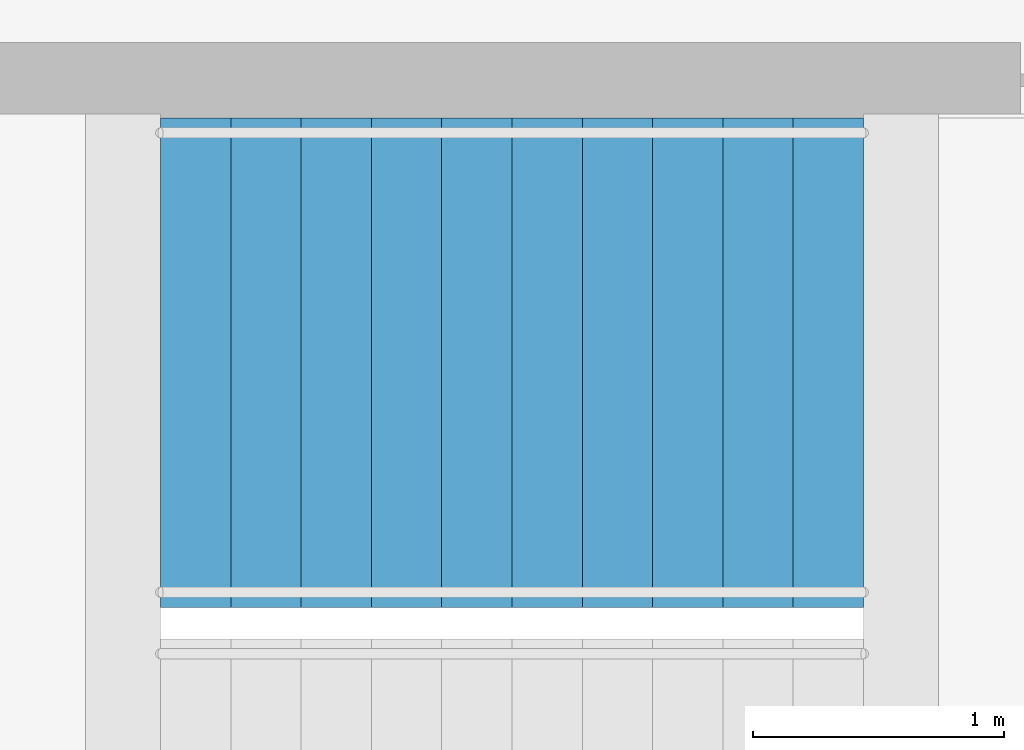
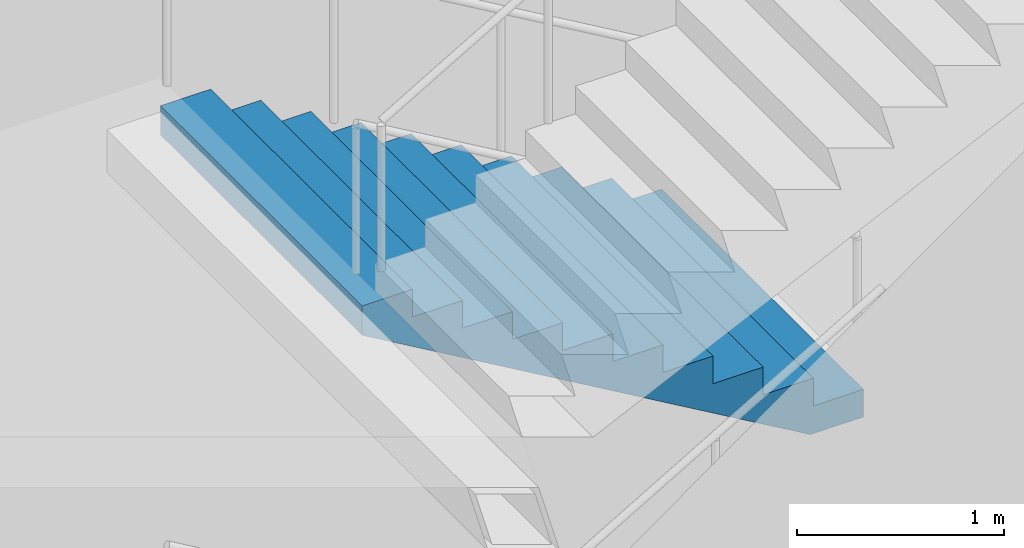
# One storey, part 21 of 22: 1 stair flight, 1 element without a shape of its own.
"""IFC4 building model written with IfcOpenShell, lengths in metres."""

import ifcopenshell
import ifcopenshell.guid

model = None  # the IFC model being written
_history = None  # IfcOwnerHistory: only IFC2X3 demands one
_inside = {}  # id of a spatial element -> (the spatial element, [elements in it])
_under = {}  # id of a project, library or spatial element -> (it, [spatial elements below it])
_declared = {}  # id of a project -> (the project, [libraries it declares])
_typed = {}  # id of a type object -> (the type object, [elements of that type])
_made_of = {}  # id of a material, layer set ... -> (it, [elements and type objects made of it])


def new_model(schema):
    """Start an empty IFC model of exactly this schema.

    Asked for "IFC4X3", IfcOpenShell would pick the latest addendum, in which some entities
    have other attributes; the version numbers below select the first issue.
    IFC2X3 requires an IfcOwnerHistory on every rooted entity: one is made here for all.
    """
    global model, _history
    if schema == "IFC4X3":
        model = ifcopenshell.file(schema_version=(4, 3, 0, 0))
    else:
        model = ifcopenshell.file(schema=schema)
    _inside.clear()
    _under.clear()
    _declared.clear()
    _typed.clear()
    _made_of.clear()
    _history = None
    if model.schema == "IFC2X3":
        org = make("IfcOrganization", Name="unknown")
        user = make(
            "IfcPersonAndOrganization",
            ThePerson=make("IfcPerson", FamilyName="unknown"),
            TheOrganization=org,
        )
        app = make(
            "IfcApplication",
            ApplicationDeveloper=org,
            Version="unknown",
            ApplicationFullName="unknown",
            ApplicationIdentifier="unknown",
        )
        _history = make(
            "IfcOwnerHistory",
            OwningUser=user,
            OwningApplication=app,
            ChangeAction="ADDED",
            CreationDate=0,
        )
    return model


def make(cls, **values):
    """One entity of the class cls with the attributes given. An attribute that is None is left unset."""
    return model.create_entity(
        cls, **{name: value for name, value in values.items() if value is not None}
    )


def rooted(cls, **values):
    """An entity with a GlobalId (a new one), such as an element, a storey or a relation."""
    return make(cls, GlobalId=ifcopenshell.guid.new(), OwnerHistory=_history, **values)


def si_unit(unit_type, name, prefix=None):
    """IfcSIUnit, for example si_unit("LENGTHUNIT", "METRE", prefix="MILLI")."""
    return make("IfcSIUnit", UnitType=unit_type, Prefix=prefix, Name=name)


def assignment(units):
    """IfcUnitAssignment: the units of a project."""
    return None if units is None else make("IfcUnitAssignment", Units=units)


def point(xyz):
    """IfcCartesianPoint."""
    return None if xyz is None else make("IfcCartesianPoint", Coordinates=xyz)


def direction(xyz):
    """IfcDirection."""
    return None if xyz is None else make("IfcDirection", DirectionRatios=xyz)


def frame(location, z_axis=None, x_axis=None):
    """IfcAxis2Placement3D, a coordinate frame: its origin and axes. An axis left out is left unset."""
    return make(
        "IfcAxis2Placement3D",
        Location=point(location),
        Axis=direction(z_axis),
        RefDirection=direction(x_axis),
    )


def origin():
    """The frame at (0, 0, 0) with its axes left unset."""
    return frame((0.0, 0.0, 0.0))


def place(relative_to, where):
    """IfcLocalPlacement: puts the frame where relative to a parent placement (None: the world)."""
    return make(
        "IfcLocalPlacement", PlacementRelTo=relative_to, RelativePlacement=where
    )


def context(
    kind, dimensions, precision=None, world=None, true_north=None, identifier=None
):
    """IfcGeometricRepresentationContext, for example the 3D "Model" context."""
    return make(
        "IfcGeometricRepresentationContext",
        ContextIdentifier=identifier,
        ContextType=kind,
        CoordinateSpaceDimension=dimensions,
        Precision=precision,
        WorldCoordinateSystem=world,
        TrueNorth=true_north,
    )


def subcontext(parent, identifier, kind, view, scale=None):
    """IfcGeometricRepresentationSubContext, for example "Body" below "Model"."""
    return make(
        "IfcGeometricRepresentationSubContext",
        ContextIdentifier=identifier,
        ContextType=kind,
        ParentContext=parent,
        TargetScale=scale,
        TargetView=view,
    )


def project(units=None, contexts=None):
    """IfcProject with its units and contexts."""
    return rooted(
        "IfcProject",
        Name="project",
        RepresentationContexts=contexts,
        UnitsInContext=assignment(units),
    )


def spatial(cls, under=None, at=None, **own):
    """A site, building, storey or space (cls), placed at a placement, below another one or the project."""
    s = rooted(cls, ObjectPlacement=at, **own)
    if under is not None:
        _under.setdefault(under.id(), (under, []))[1].append(s)
    return s


def point_list(points):
    """IfcCartesianPointList2D or 3D."""
    cls = (
        "IfcCartesianPointList2D" if len(points[0]) == 2 else "IfcCartesianPointList3D"
    )
    return make(cls, CoordList=points)


def triangles(points, corners, closed=None, point_numbers=None):
    """IfcTriangulatedFaceSet: each triangle names its three corners, points numbered from 1."""
    return make(
        "IfcTriangulatedFaceSet",
        Coordinates=point_list(points),
        Closed=closed,
        CoordIndex=corners,
        PnIndex=point_numbers,
    )


def shape(context_of_items, identifier, shape_type, items):
    """IfcShapeRepresentation: the items that make up one representation, for example the "Body"."""
    return make(
        "IfcShapeRepresentation",
        ContextOfItems=context_of_items,
        RepresentationIdentifier=identifier,
        RepresentationType=shape_type,
        Items=items,
    )


def material(Name=None, Category=None):
    """IfcMaterial."""
    return make("IfcMaterial", Name=Name, Category=Category)


def made_of(thing, what):
    """Note that an element or type object is made of a material, layer set ...; save() writes the relation."""
    if what is not None:
        _made_of.setdefault(what.id(), (what, []))[1].append(thing)
    return thing


def type_object(cls, material=None, **own):
    """A type object (cls), such as IfcWallType, which elements share."""
    return made_of(rooted(cls, **own), material)


def element(
    cls,
    number,
    at=None,
    inside=None,
    cuts=None,
    type_object=None,
    material=None,
    context=None,
    identifier="Body",
    shape_type=None,
    held_by="IfcProductDefinitionShape",
    body=None,
    shapes=None,
    **own,
):
    """One element of the class cls, such as IfcWall. Its Tag is "e" and its number.

    at: its placement. inside: the storey or other place that contains it. cuts: it is an
    opening in that element (IfcRelVoidsElement). A single representation is given by context,
    identifier, shape_type and body (its items); several are given by shapes. held_by: the class
    of the entity that holds the representations. save() writes the other relations.
    """
    e = rooted(cls, Tag="e%d" % number, ObjectPlacement=at, **own)
    if body is not None:
        shapes = [shape(context, identifier, shape_type, body)]
    if shapes is not None:
        e.Representation = make(held_by, Representations=shapes)
    if inside is not None:
        _inside.setdefault(inside.id(), (inside, []))[1].append(e)
    if cuts is not None:
        rooted(
            "IfcRelVoidsElement", RelatingBuildingElement=cuts, RelatedOpeningElement=e
        )
    if type_object is not None:
        _typed.setdefault(type_object.id(), (type_object, []))[1].append(e)
    return made_of(e, material)


def aggregate(whole, parts):
    """IfcRelAggregates: a whole, such as a stair, and the parts it consists of."""
    return rooted("IfcRelAggregates", RelatingObject=whole, RelatedObjects=parts)


def save(model, path):
    """Write the relations noted so far, then the file.

    IfcRelAggregates (storeys below a building ...), IfcRelContainedInSpatialStructure (elements
    in a storey), IfcRelDefinesByType, IfcRelAssociatesMaterial and IfcRelDeclares: one each for
    every whole, place, type object, material and project.
    """
    for whole, parts in _under.values():
        aggregate(whole, parts)
    for where, things in _inside.values():
        rooted(
            "IfcRelContainedInSpatialStructure",
            RelatedElements=things,
            RelatingStructure=where,
        )
    for kind, things in _typed.values():
        rooted("IfcRelDefinesByType", RelatedObjects=things, RelatingType=kind)
    for what, things in _made_of.values():
        rooted("IfcRelAssociatesMaterial", RelatedObjects=things, RelatingMaterial=what)
    for by, libraries in _declared.values():
        rooted("IfcRelDeclares", RelatingContext=by, RelatedDefinitions=libraries)
    model.write(path)


model = new_model("IFC4")

# Units and contexts
model_context = context("Model", 3, precision=1e-05, world=origin(), true_north=direction((0.0, 1.0)))
body_context = subcontext(model_context, "Body", "Model", "MODEL_VIEW")
ifc_project = project(units=[si_unit("LENGTHUNIT", "METRE"), si_unit("AREAUNIT", "SQUARE_METRE"), si_unit("VOLUMEUNIT", "CUBIC_METRE"), si_unit("PLANEANGLEUNIT", "RADIAN"), si_unit("MASSUNIT", "GRAM", prefix="KILO")], contexts=[model_context])

# Site, building, storey
site_placement = place(None, origin())
site = spatial("IfcSite", under=ifc_project, at=site_placement, CompositionType="ELEMENT")
building_placement = place(site_placement, origin())
building = spatial("IfcBuilding", under=site, at=building_placement, Name="Orbita Commons", CompositionType="ELEMENT")
storey_placement = place(building_placement, frame((0.0, 0.0, 201.10009765625)))
storey = spatial("IfcBuildingStorey", under=building, at=storey_placement, Name="L50", CompositionType="ELEMENT", Elevation=201.10009765625)

# Stair, stair flight
ifc_material_1 = material(Name="Precast concrete C40/50", Category="concrete")
stair_type = type_object("IfcStairType", Name="Exit stair S2 4 flights 11 risers 164", PredefinedType="HALF_TURN_STAIR", material=ifc_material_1)
stair_placement = place(storey_placement, origin())
stair = element("IfcStair", 1, at=stair_placement, inside=storey, type_object=stair_type, Name="Exit stair S2 L50", PredefinedType="HALF_TURN_STAIR")
ifc_material_2 = material(Name="Precast concrete C40/50", Category="concrete")
stair_flight_type = type_object("IfcStairFlightType", Name="Stair flight 11 risers 164 x 280", PredefinedType="STRAIGHT", material=ifc_material_2)
stair_flight_placement = place(storey_placement, frame((63.550048828125, 29.27490234375, 3.599853515625), z_axis=(0.0, 0.0, 1.0), x_axis=(-1.0, 0.0, 0.0)))
stair_flight = element("IfcStairFlight", 2, at=stair_flight_placement, type_object=stair_flight_type, Name="S2 flight 3", NumberOfRisers=11, NumberOfTreads=10, PredefinedType="STRAIGHT", RiserHeight=0.163636364, TreadLength=0.28, context=body_context, shape_type="Tessellation", body=[
    triangles([(0.0, 0.974976, 0.0), (0.0, 0.974976, 0.020455), (0.0, 0.81248, 0.020455), (0.0, 0.81248, 0.0), (0.0, 0.649984, 0.020455), (0.0, 0.649984, 0.0), (0.0, 0.487488, 0.020455), (0.0, 0.487488, 0.0), (0.0, 0.324992, 0.020455), (0.0, 0.324992, 0.0), (0.0, 0.162496, 0.020455), (0.0, 0.162496, 0.0), (0.0, 0.0, 0.020455), (0.0, 0.0, 0.0), (0.0, -0.162496, 0.020455), (0.0, -0.162496, 0.0), (0.0, -0.324992, 0.020455), (0.0, -0.324992, 0.0), (0.0, -0.487488, 0.020455), (0.0, -0.487488, 0.0), (0.0, -0.649984, 0.020455), (0.0, -0.649984, 0.0), (0.0, -0.81248, 0.020455), (0.0, -0.81248, 0.0), (0.0, -0.974976, 0.020455), (0.0, -0.974976, 0.0), (0.0, 0.974976, 0.040909), (0.0, 0.81248, 0.040909), (0.0, 0.649984, 0.040909), (0.0, 0.487488, 0.040909), (0.0, 0.324992, 0.040909), (0.0, 0.162496, 0.040909), (0.0, 0.0, 0.040909), (0.0, -0.162496, 0.040909), (0.0, -0.324992, 0.040909), (0.0, -0.487488, 0.040909), (0.0, -0.649984, 0.040909), (0.0, -0.81248, 0.040909), (0.0, -0.974976, 0.040909), (0.0, 0.974976, 0.061364), (0.0, 0.81248, 0.061364), (0.0, 0.649984, 0.061364), (0.0, 0.487488, 0.061364), (0.0, 0.324992, 0.061364), (0.0, 0.162496, 0.061364), (0.0, 0.0, 0.061364), (0.0, -0.162496, 0.061364), (0.0, -0.324992, 0.061364), (0.0, -0.487488, 0.061364), (0.0, -0.649984, 0.061364), (0.0, -0.81248, 0.061364), (0.0, -0.974976, 0.061364), (0.0, 0.974976, 0.081818), (0.0, 0.81248, 0.081818), (0.0, 0.649984, 0.081818), (0.0, 0.487488, 0.081818), (0.0, 0.324992, 0.081818), (0.0, 0.162496, 0.081818), (0.0, 0.0, 0.081818), (0.0, -0.162496, 0.081818), (0.0, -0.324992, 0.081818), (0.0, -0.487488, 0.081818), (0.0, -0.649984, 0.081818), (0.0, -0.81248, 0.081818), (0.0, -0.974976, 0.081818), (0.0, 0.974976, 0.102273), (0.0, 0.81248, 0.102273), (0.0, 0.649984, 0.102273), (0.0, 0.487488, 0.102273), (0.0, 0.324992, 0.102273), (0.0, 0.162496, 0.102273), (0.0, 0.0, 0.102273), (0.0, -0.162496, 0.102273), (0.0, -0.324992, 0.102273), (0.0, -0.487488, 0.102273), (0.0, -0.649984, 0.102273), (0.0, -0.81248, 0.102273), (0.0, -0.974976, 0.102273), (0.0, 0.974976, 0.122727), (0.0, 0.81248, 0.122727), (0.0, 0.649984, 0.122727), (0.0, 0.487488, 0.122727), (0.0, 0.324992, 0.122727), (0.0, 0.162496, 0.122727), (0.0, 0.0, 0.122727), (0.0, -0.162496, 0.122727), (0.0, -0.324992, 0.122727), (0.0, -0.487488, 0.122727), (0.0, -0.649984, 0.122727), (0.0, -0.81248, 0.122727), (0.0, -0.974976, 0.122727), (0.0, 0.974976, 0.143182), (0.0, 0.81248, 0.143182), (0.0, 0.649984, 0.143182), (0.0, 0.487488, 0.143182), (0.0, 0.324992, 0.143182), (0.0, 0.162496, 0.143182), (0.0, 0.0, 0.143182), (0.0, -0.162496, 0.143182), (0.0, -0.324992, 0.143182), (0.0, -0.487488, 0.143182), (0.0, -0.649984, 0.143182), (0.0, -0.81248, 0.143182), (0.0, -0.974976, 0.143182), (0.0, 0.974976, 0.163636), (0.0, 0.81248, 0.163636), (0.0, 0.649984, 0.163636), (0.0, 0.487488, 0.163636), (0.0, 0.324992, 0.163636), (0.0, 0.162496, 0.163636), (0.0, 0.0, 0.163636), (0.0, -0.162496, 0.163636), (0.0, -0.324992, 0.163636), (0.0, -0.487488, 0.163636), (0.0, -0.649984, 0.163636), (0.0, -0.81248, 0.163636), (0.0, -0.974976, 0.163636), (0.28, 0.974976, 0.163636), (0.28, 0.81248, 0.163636), (0.28, 0.649984, 0.163636), (0.28, 0.487488, 0.163636), (0.28, 0.324992, 0.163636), (0.28, 0.162496, 0.163636), (0.28, 0.0, 0.163636), (0.28, -0.162496, 0.163636), (0.28, -0.324992, 0.163636), (0.28, -0.487488, 0.163636), (0.28, -0.649984, 0.163636), (0.28, -0.81248, 0.163636), (0.28, -0.974976, 0.163636), (0.28, 0.974976, 0.327273), (0.28, 0.81248, 0.327273), (0.28, 0.649984, 0.327273), (0.28, 0.487488, 0.327273), (0.28, 0.324992, 0.327273), (0.28, 0.162496, 0.327273), (0.28, 0.0, 0.327273), (0.28, -0.162496, 0.327273), (0.28, -0.324992, 0.327273), (0.28, -0.487488, 0.327273), (0.28, -0.649984, 0.327273), (0.28, -0.81248, 0.327273), (0.28, -0.974976, 0.327273), (0.56, 0.974976, 0.327273), (0.56, 0.81248, 0.327273), (0.56, 0.649984, 0.327273), (0.56, 0.487488, 0.327273), (0.56, 0.324992, 0.327273), (0.56, 0.162496, 0.327273), (0.56, 0.0, 0.327273), (0.56, -0.162496, 0.327273), (0.56, -0.324992, 0.327273), (0.56, -0.487488, 0.327273), (0.56, -0.649984, 0.327273), (0.56, -0.81248, 0.327273), (0.56, -0.974976, 0.327273), (0.56, 0.974976, 0.490909), (0.56, 0.81248, 0.490909), (0.56, 0.649984, 0.490909), (0.56, 0.487488, 0.490909), (0.56, 0.324992, 0.490909), (0.56, 0.162496, 0.490909), (0.56, 0.0, 0.490909), (0.56, -0.162496, 0.490909), (0.56, -0.324992, 0.490909), (0.56, -0.487488, 0.490909), (0.56, -0.649984, 0.490909), (0.56, -0.81248, 0.490909), (0.56, -0.974976, 0.490909), (0.84, 0.974976, 0.490909), (0.84, 0.81248, 0.490909), (0.84, 0.649984, 0.490909), (0.84, 0.487488, 0.490909), (0.84, 0.324992, 0.490909), (0.84, 0.162496, 0.490909), (0.84, 0.0, 0.490909), (0.84, -0.162496, 0.490909), (0.84, -0.324992, 0.490909), (0.84, -0.487488, 0.490909), (0.84, -0.649984, 0.490909), (0.84, -0.81248, 0.490909), (0.84, -0.974976, 0.490909), (0.84, 0.974976, 0.654545), (0.84, 0.81248, 0.654545), (0.84, 0.649984, 0.654545), (0.84, 0.487488, 0.654545), (0.84, 0.324992, 0.654545), (0.84, 0.162496, 0.654545), (0.84, 0.0, 0.654545), (0.84, -0.162496, 0.654545), (0.84, -0.324992, 0.654545), (0.84, -0.487488, 0.654545), (0.84, -0.649984, 0.654545), (0.84, -0.81248, 0.654545), (0.84, -0.974976, 0.654545), (1.12, 0.974976, 0.654545), (1.12, 0.81248, 0.654545), (1.12, 0.649984, 0.654545), (1.12, 0.487488, 0.654545), (1.12, 0.324992, 0.654545), (1.12, 0.162496, 0.654545), (1.12, 0.0, 0.654545), (1.12, -0.162496, 0.654545), (1.12, -0.324992, 0.654545), (1.12, -0.487488, 0.654545), (1.12, -0.649984, 0.654545), (1.12, -0.81248, 0.654545), (1.12, -0.974976, 0.654545), (1.12, 0.974976, 0.818182), (1.12, 0.81248, 0.818182), (1.12, 0.649984, 0.818182), (1.12, 0.487488, 0.818182), (1.12, 0.324992, 0.818182), (1.12, 0.162496, 0.818182), (1.12, 0.0, 0.818182), (1.12, -0.162496, 0.818182), (1.12, -0.324992, 0.818182), (1.12, -0.487488, 0.818182), (1.12, -0.649984, 0.818182), (1.12, -0.81248, 0.818182), (1.12, -0.974976, 0.818182), (1.4, 0.974976, 0.818182), (1.4, 0.81248, 0.818182), (1.4, 0.649984, 0.818182), (1.4, 0.487488, 0.818182), (1.4, 0.324992, 0.818182), (1.4, 0.162496, 0.818182), (1.4, 0.0, 0.818182), (1.4, -0.162496, 0.818182), (1.4, -0.324992, 0.818182), (1.4, -0.487488, 0.818182), (1.4, -0.649984, 0.818182), (1.4, -0.81248, 0.818182), (1.4, -0.974976, 0.818182), (1.4, 0.974976, 0.981818), (1.4, 0.81248, 0.981818), (1.4, 0.649984, 0.981818), (1.4, 0.487488, 0.981818), (1.4, 0.324992, 0.981818), (1.4, 0.162496, 0.981818), (1.4, 0.0, 0.981818), (1.4, -0.162496, 0.981818), (1.4, -0.324992, 0.981818), (1.4, -0.487488, 0.981818), (1.4, -0.649984, 0.981818), (1.4, -0.81248, 0.981818), (1.4, -0.974976, 0.981818), (1.68, 0.974976, 0.981818), (1.68, 0.81248, 0.981818), (1.68, 0.649984, 0.981818), (1.68, 0.487488, 0.981818), (1.68, 0.324992, 0.981818), (1.68, 0.162496, 0.981818), (1.68, 0.0, 0.981818), (1.68, -0.162496, 0.981818), (1.68, -0.324992, 0.981818), (1.68, -0.487488, 0.981818), (1.68, -0.649984, 0.981818), (1.68, -0.81248, 0.981818), (1.68, -0.974976, 0.981818), (1.68, 0.974976, 1.145455), (1.68, 0.81248, 1.145455), (1.68, 0.649984, 1.145455), (1.68, 0.487488, 1.145455), (1.68, 0.324992, 1.145455), (1.68, 0.162496, 1.145455), (1.68, 0.0, 1.145455), (1.68, -0.162496, 1.145455), (1.68, -0.324992, 1.145455), (1.68, -0.487488, 1.145455), (1.68, -0.649984, 1.145455), (1.68, -0.81248, 1.145455), (1.68, -0.974976, 1.145455), (1.96, 0.974976, 1.145455), (1.96, 0.81248, 1.145455), (1.96, 0.649984, 1.145455), (1.96, 0.487488, 1.145455), (1.96, 0.324992, 1.145455), (1.96, 0.162496, 1.145455), (1.96, 0.0, 1.145455), (1.96, -0.162496, 1.145455), (1.96, -0.324992, 1.145455), (1.96, -0.487488, 1.145455), (1.96, -0.649984, 1.145455), (1.96, -0.81248, 1.145455), (1.96, -0.974976, 1.145455), (1.96, 0.974976, 1.309091), (1.96, 0.81248, 1.309091), (1.96, 0.649984, 1.309091), (1.96, 0.487488, 1.309091), (1.96, 0.324992, 1.309091), (1.96, 0.162496, 1.309091), (1.96, 0.0, 1.309091), (1.96, -0.162496, 1.309091), (1.96, -0.324992, 1.309091), (1.96, -0.487488, 1.309091), (1.96, -0.649984, 1.309091), (1.96, -0.81248, 1.309091), (1.96, -0.974976, 1.309091), (2.24, 0.974976, 1.309091), (2.24, 0.81248, 1.309091), (2.24, 0.649984, 1.309091), (2.24, 0.487488, 1.309091), (2.24, 0.324992, 1.309091), (2.24, 0.162496, 1.309091), (2.24, 0.0, 1.309091), (2.24, -0.162496, 1.309091), (2.24, -0.324992, 1.309091), (2.24, -0.487488, 1.309091), (2.24, -0.649984, 1.309091), (2.24, -0.81248, 1.309091), (2.24, -0.974976, 1.309091), (2.24, 0.974976, 1.472727), (2.24, 0.81248, 1.472727), (2.24, 0.649984, 1.472727), (2.24, 0.487488, 1.472727), (2.24, 0.324992, 1.472727), (2.24, 0.162496, 1.472727), (2.24, 0.0, 1.472727), (2.24, -0.162496, 1.472727), (2.24, -0.324992, 1.472727), (2.24, -0.487488, 1.472727), (2.24, -0.649984, 1.472727), (2.24, -0.81248, 1.472727), (2.24, -0.974976, 1.472727), (2.52, 0.974976, 1.472727), (2.52, 0.81248, 1.472727), (2.52, 0.649984, 1.472727), (2.52, 0.487488, 1.472727), (2.52, 0.324992, 1.472727), (2.52, 0.162496, 1.472727), (2.52, 0.0, 1.472727), (2.52, -0.162496, 1.472727), (2.52, -0.324992, 1.472727), (2.52, -0.487488, 1.472727), (2.52, -0.649984, 1.472727), (2.52, -0.81248, 1.472727), (2.52, -0.974976, 1.472727), (2.52, 0.974976, 1.636364), (2.52, 0.81248, 1.636364), (2.52, 0.649984, 1.636364), (2.52, 0.487488, 1.636364), (2.52, 0.324992, 1.636364), (2.52, 0.162496, 1.636364), (2.52, 0.0, 1.636364), (2.52, -0.162496, 1.636364), (2.52, -0.324992, 1.636364), (2.52, -0.487488, 1.636364), (2.52, -0.649984, 1.636364), (2.52, -0.81248, 1.636364), (2.52, -0.974976, 1.636364), (2.8, 0.974976, 1.636364), (2.8, 0.81248, 1.636364), (2.8, 0.649984, 1.636364), (2.8, 0.487488, 1.636364), (2.8, 0.324992, 1.636364), (2.8, 0.162496, 1.636364), (2.8, 0.0, 1.636364), (2.8, -0.162496, 1.636364), (2.8, -0.324992, 1.636364), (2.8, -0.487488, 1.636364), (2.8, -0.649984, 1.636364), (2.8, -0.81248, 1.636364), (2.8, -0.974976, 1.636364), (2.8, 0.974976, 1.614661), (2.8, 0.81248, 1.614661), (2.8, 0.649984, 1.614661), (2.8, 0.487488, 1.614661), (2.8, 0.324992, 1.614661), (2.8, 0.162496, 1.614661), (2.8, 0.0, 1.614661), (2.8, -0.162496, 1.614661), (2.8, -0.324992, 1.614661), (2.8, -0.487488, 1.614661), (2.8, -0.649984, 1.614661), (2.8, -0.81248, 1.614661), (2.8, -0.974976, 1.614661), (2.8, 0.974976, 1.592958), (2.8, 0.81248, 1.592958), (2.8, 0.649984, 1.592958), (2.8, 0.487488, 1.592958), (2.8, 0.324992, 1.592958), (2.8, 0.162496, 1.592958), (2.8, 0.0, 1.592958), (2.8, -0.162496, 1.592958), (2.8, -0.324992, 1.592958), (2.8, -0.487488, 1.592958), (2.8, -0.649984, 1.592958), (2.8, -0.81248, 1.592958), (2.8, -0.974976, 1.592958), (2.8, 0.974976, 1.571255), (2.8, 0.81248, 1.571255), (2.8, 0.649984, 1.571255), (2.8, 0.487488, 1.571255), (2.8, 0.324992, 1.571255), (2.8, 0.162496, 1.571255), (2.8, 0.0, 1.571255), (2.8, -0.162496, 1.571255), (2.8, -0.324992, 1.571255), (2.8, -0.487488, 1.571255), (2.8, -0.649984, 1.571255), (2.8, -0.81248, 1.571255), (2.8, -0.974976, 1.571255), (2.8, 0.974976, 1.549551), (2.8, 0.81248, 1.549551), (2.8, 0.649984, 1.549551), (2.8, 0.487488, 1.549551), (2.8, 0.324992, 1.549551), (2.8, 0.162496, 1.549551), (2.8, 0.0, 1.549551), (2.8, -0.162496, 1.549551), (2.8, -0.324992, 1.549551), (2.8, -0.487488, 1.549551), (2.8, -0.649984, 1.549551), (2.8, -0.81248, 1.549551), (2.8, -0.974976, 1.549551), (2.8, 0.974976, 1.527848), (2.8, 0.81248, 1.527848), (2.8, 0.649984, 1.527848), (2.8, 0.487488, 1.527848), (2.8, 0.324992, 1.527848), (2.8, 0.162496, 1.527848), (2.8, 0.0, 1.527848), (2.8, -0.162496, 1.527848), (2.8, -0.324992, 1.527848), (2.8, -0.487488, 1.527848), (2.8, -0.649984, 1.527848), (2.8, -0.81248, 1.527848), (2.8, -0.974976, 1.527848), (2.8, 0.974976, 1.506145), (2.8, 0.81248, 1.506145), (2.8, 0.649984, 1.506145), (2.8, 0.487488, 1.506145), (2.8, 0.324992, 1.506145), (2.8, 0.162496, 1.506145), (2.8, 0.0, 1.506145), (2.8, -0.162496, 1.506145), (2.8, -0.324992, 1.506145), (2.8, -0.487488, 1.506145), (2.8, -0.649984, 1.506145), (2.8, -0.81248, 1.506145), (2.8, -0.974976, 1.506145), (2.8, 0.974976, 1.484442), (2.8, 0.81248, 1.484442), (2.8, 0.649984, 1.484442), (2.8, 0.487488, 1.484442), (2.8, 0.324992, 1.484442), (2.8, 0.162496, 1.484442), (2.8, 0.0, 1.484442), (2.8, -0.162496, 1.484442), (2.8, -0.324992, 1.484442), (2.8, -0.487488, 1.484442), (2.8, -0.649984, 1.484442), (2.8, -0.81248, 1.484442), (2.8, -0.974976, 1.484442), (2.8, 0.974976, 1.462739), (2.8, 0.81248, 1.462739), (2.8, 0.649984, 1.462739), (2.8, 0.487488, 1.462739), (2.8, 0.324992, 1.462739), (2.8, 0.162496, 1.462739), (2.8, 0.0, 1.462739), (2.8, -0.162496, 1.462739), (2.8, -0.324992, 1.462739), (2.8, -0.487488, 1.462739), (2.8, -0.649984, 1.462739), (2.8, -0.81248, 1.462739), (2.8, -0.974976, 1.462739), (0.29709, 0.974976, 0.0), (0.29709, 0.81248, 0.0), (0.29709, 0.649984, 0.0), (0.29709, 0.487488, 0.0), (0.29709, 0.324992, 0.0), (0.29709, 0.162496, 0.0), (0.29709, 0.0, 0.0), (0.29709, -0.162496, 0.0), (0.29709, -0.324992, 0.0), (0.29709, -0.487488, 0.0), (0.29709, -0.649984, 0.0), (0.29709, -0.81248, 0.0), (0.29709, -0.974976, 0.0)], [[3, 2, 1], [4, 3, 1], [5, 3, 4], [6, 5, 4], [7, 5, 6], [8, 7, 6], [9, 7, 8], [10, 9, 8], [11, 9, 10], [12, 11, 10], [13, 11, 12], [14, 13, 12], [15, 13, 14], [16, 15, 14], [17, 15, 16], [18, 17, 16], [19, 17, 18], [20, 19, 18], [21, 19, 20], [22, 21, 20], [23, 21, 22], [24, 23, 22], [25, 23, 24], [26, 25, 24], [28, 27, 2], [3, 28, 2], [29, 28, 3], [5, 29, 3], [30, 29, 5], [7, 30, 5], [31, 30, 7], [9, 31, 7], [32, 31, 9], [11, 32, 9], [33, 32, 11], [13, 33, 11], [34, 33, 13], [15, 34, 13], [35, 34, 15], [17, 35, 15], [36, 35, 17], [19, 36, 17], [37, 36, 19], [21, 37, 19], [38, 37, 21], [23, 38, 21], [39, 38, 23], [25, 39, 23], [41, 40, 27], [28, 41, 27], [42, 41, 28], [29, 42, 28], [43, 42, 29], [30, 43, 29], [44, 43, 30], [31, 44, 30], [45, 44, 31], [32, 45, 31], [46, 45, 32], [33, 46, 32], [47, 46, 33], [34, 47, 33], [48, 47, 34], [35, 48, 34], [49, 48, 35], [36, 49, 35], [50, 49, 36], [37, 50, 36], [51, 50, 37], [38, 51, 37], [52, 51, 38], [39, 52, 38], [54, 53, 40], [41, 54, 40], [55, 54, 41], [42, 55, 41], [56, 55, 42], [43, 56, 42], [57, 56, 43], [44, 57, 43], [58, 57, 44], [45, 58, 44], [59, 58, 45], [46, 59, 45], [60, 59, 46], [47, 60, 46], [61, 60, 47], [48, 61, 47], [62, 61, 48], [49, 62, 48], [63, 62, 49], [50, 63, 49], [64, 63, 50], [51, 64, 50], [65, 64, 51], [52, 65, 51], [67, 66, 53], [54, 67, 53], [68, 67, 54], [55, 68, 54], [69, 68, 55], [56, 69, 55], [70, 69, 56], [57, 70, 56], [71, 70, 57], [58, 71, 57], [72, 71, 58], [59, 72, 58], [73, 72, 59], [60, 73, 59], [74, 73, 60], [61, 74, 60], [75, 74, 61], [62, 75, 61], [76, 75, 62], [63, 76, 62], [77, 76, 63], [64, 77, 63], [78, 77, 64], [65, 78, 64], [80, 79, 66], [67, 80, 66], [81, 80, 67], [68, 81, 67], [82, 81, 68], [69, 82, 68], [83, 82, 69], [70, 83, 69], [84, 83, 70], [71, 84, 70], [85, 84, 71], [72, 85, 71], [86, 85, 72], [73, 86, 72], [87, 86, 73], [74, 87, 73], [88, 87, 74], [75, 88, 74], [89, 88, 75], [76, 89, 75], [90, 89, 76], [77, 90, 76], [91, 90, 77], [78, 91, 77], [93, 92, 79], [80, 93, 79], [94, 93, 80], [81, 94, 80], [95, 94, 81], [82, 95, 81], [96, 95, 82], [83, 96, 82], [97, 96, 83], [84, 97, 83], [98, 97, 84], [85, 98, 84], [99, 98, 85], [86, 99, 85], [100, 99, 86], [87, 100, 86], [101, 100, 87], [88, 101, 87], [102, 101, 88], [89, 102, 88], [103, 102, 89], [90, 103, 89], [104, 103, 90], [91, 104, 90], [106, 105, 92], [93, 106, 92], [107, 106, 93], [94, 107, 93], [108, 107, 94], [95, 108, 94], [109, 108, 95], [96, 109, 95], [110, 109, 96], [97, 110, 96], [111, 110, 97], [98, 111, 97], [112, 111, 98], [99, 112, 98], [113, 112, 99], [100, 113, 99], [114, 113, 100], [101, 114, 100], [115, 114, 101], [102, 115, 101], [116, 115, 102], [103, 116, 102], [117, 116, 103], [104, 117, 103], [119, 118, 105], [106, 119, 105], [120, 119, 106], [107, 120, 106], [121, 120, 107], [108, 121, 107], [122, 121, 108], [109, 122, 108], [123, 122, 109], [110, 123, 109], [124, 123, 110], [111, 124, 110], [125, 124, 111], [112, 125, 111], [126, 125, 112], [113, 126, 112], [127, 126, 113], [114, 127, 113], [128, 127, 114], [115, 128, 114], [129, 128, 115], [116, 129, 115], [130, 129, 116], [117, 130, 116], [132, 131, 118], [119, 132, 118], [133, 132, 119], [120, 133, 119], [134, 133, 120], [121, 134, 120], [135, 134, 121], [122, 135, 121], [136, 135, 122], [123, 136, 122], [137, 136, 123], [124, 137, 123], [138, 137, 124], [125, 138, 124], [139, 138, 125], [126, 139, 125], [140, 139, 126], [127, 140, 126], [141, 140, 127], [128, 141, 127], [142, 141, 128], [129, 142, 128], [143, 142, 129], [130, 143, 129], [145, 144, 131], [132, 145, 131], [146, 145, 132], [133, 146, 132], [147, 146, 133], [134, 147, 133], [148, 147, 134], [135, 148, 134], [149, 148, 135], [136, 149, 135], [150, 149, 136], [137, 150, 136], [151, 150, 137], [138, 151, 137], [152, 151, 138], [139, 152, 138], [153, 152, 139], [140, 153, 139], [154, 153, 140], [141, 154, 140], [155, 154, 141], [142, 155, 141], [156, 155, 142], [143, 156, 142], [158, 157, 144], [145, 158, 144], [159, 158, 145], [146, 159, 145], [160, 159, 146], [147, 160, 146], [161, 160, 147], [148, 161, 147], [162, 161, 148], [149, 162, 148], [163, 162, 149], [150, 163, 149], [164, 163, 150], [151, 164, 150], [165, 164, 151], [152, 165, 151], [166, 165, 152], [153, 166, 152], [167, 166, 153], [154, 167, 153], [168, 167, 154], [155, 168, 154], [169, 168, 155], [156, 169, 155], [171, 170, 157], [158, 171, 157], [172, 171, 158], [159, 172, 158], [173, 172, 159], [160, 173, 159], [174, 173, 160], [161, 174, 160], [175, 174, 161], [162, 175, 161], [176, 175, 162], [163, 176, 162], [177, 176, 163], [164, 177, 163], [178, 177, 164], [165, 178, 164], [179, 178, 165], [166, 179, 165], [180, 179, 166], [167, 180, 166], [181, 180, 167], [168, 181, 167], [182, 181, 168], [169, 182, 168], [184, 183, 170], [171, 184, 170], [185, 184, 171], [172, 185, 171], [186, 185, 172], [173, 186, 172], [187, 186, 173], [174, 187, 173], [188, 187, 174], [175, 188, 174], [189, 188, 175], [176, 189, 175], [190, 189, 176], [177, 190, 176], [191, 190, 177], [178, 191, 177], [192, 191, 178], [179, 192, 178], [193, 192, 179], [180, 193, 179], [194, 193, 180], [181, 194, 180], [195, 194, 181], [182, 195, 181], [197, 196, 183], [184, 197, 183], [198, 197, 184], [185, 198, 184], [199, 198, 185], [186, 199, 185], [200, 199, 186], [187, 200, 186], [201, 200, 187], [188, 201, 187], [202, 201, 188], [189, 202, 188], [203, 202, 189], [190, 203, 189], [204, 203, 190], [191, 204, 190], [205, 204, 191], [192, 205, 191], [206, 205, 192], [193, 206, 192], [207, 206, 193], [194, 207, 193], [208, 207, 194], [195, 208, 194], [210, 209, 196], [197, 210, 196], [211, 210, 197], [198, 211, 197], [212, 211, 198], [199, 212, 198], [213, 212, 199], [200, 213, 199], [214, 213, 200], [201, 214, 200], [215, 214, 201], [202, 215, 201], [216, 215, 202], [203, 216, 202], [217, 216, 203], [204, 217, 203], [218, 217, 204], [205, 218, 204], [219, 218, 205], [206, 219, 205], [220, 219, 206], [207, 220, 206], [221, 220, 207], [208, 221, 207], [223, 222, 209], [210, 223, 209], [224, 223, 210], [211, 224, 210], [225, 224, 211], [212, 225, 211], [226, 225, 212], [213, 226, 212], [227, 226, 213], [214, 227, 213], [228, 227, 214], [215, 228, 214], [229, 228, 215], [216, 229, 215], [230, 229, 216], [217, 230, 216], [231, 230, 217], [218, 231, 217], [232, 231, 218], [219, 232, 218], [233, 232, 219], [220, 233, 219], [234, 233, 220], [221, 234, 220], [236, 235, 222], [223, 236, 222], [237, 236, 223], [224, 237, 223], [238, 237, 224], [225, 238, 224], [239, 238, 225], [226, 239, 225], [240, 239, 226], [227, 240, 226], [241, 240, 227], [228, 241, 227], [242, 241, 228], [229, 242, 228], [243, 242, 229], [230, 243, 229], [244, 243, 230], [231, 244, 230], [245, 244, 231], [232, 245, 231], [246, 245, 232], [233, 246, 232], [247, 246, 233], [234, 247, 233], [249, 248, 235], [236, 249, 235], [250, 249, 236], [237, 250, 236], [251, 250, 237], [238, 251, 237], [252, 251, 238], [239, 252, 238], [253, 252, 239], [240, 253, 239], [254, 253, 240], [241, 254, 240], [255, 254, 241], [242, 255, 241], [256, 255, 242], [243, 256, 242], [257, 256, 243], [244, 257, 243], [258, 257, 244], [245, 258, 244], [259, 258, 245], [246, 259, 245], [260, 259, 246], [247, 260, 246], [262, 261, 248], [249, 262, 248], [263, 262, 249], [250, 263, 249], [264, 263, 250], [251, 264, 250], [265, 264, 251], [252, 265, 251], [266, 265, 252], [253, 266, 252], [267, 266, 253], [254, 267, 253], [268, 267, 254], [255, 268, 254], [269, 268, 255], [256, 269, 255], [270, 269, 256], [257, 270, 256], [271, 270, 257], [258, 271, 257], [272, 271, 258], [259, 272, 258], [273, 272, 259], [260, 273, 259], [275, 274, 261], [262, 275, 261], [276, 275, 262], [263, 276, 262], [277, 276, 263], [264, 277, 263], [278, 277, 264], [265, 278, 264], [279, 278, 265], [266, 279, 265], [280, 279, 266], [267, 280, 266], [281, 280, 267], [268, 281, 267], [282, 281, 268], [269, 282, 268], [283, 282, 269], [270, 283, 269], [284, 283, 270], [271, 284, 270], [285, 284, 271], [272, 285, 271], [286, 285, 272], [273, 286, 272], [288, 287, 274], [275, 288, 274], [289, 288, 275], [276, 289, 275], [290, 289, 276], [277, 290, 276], [291, 290, 277], [278, 291, 277], [292, 291, 278], [279, 292, 278], [293, 292, 279], [280, 293, 279], [294, 293, 280], [281, 294, 280], [295, 294, 281], [282, 295, 281], [296, 295, 282], [283, 296, 282], [297, 296, 283], [284, 297, 283], [298, 297, 284], [285, 298, 284], [299, 298, 285], [286, 299, 285], [301, 300, 287], [288, 301, 287], [302, 301, 288], [289, 302, 288], [303, 302, 289], [290, 303, 289], [304, 303, 290], [291, 304, 290], [305, 304, 291], [292, 305, 291], [306, 305, 292], [293, 306, 292], [307, 306, 293], [294, 307, 293], [308, 307, 294], [295, 308, 294], [309, 308, 295], [296, 309, 295], [310, 309, 296], [297, 310, 296], [311, 310, 297], [298, 311, 297], [312, 311, 298], [299, 312, 298], [314, 313, 300], [301, 314, 300], [315, 314, 301], [302, 315, 301], [316, 315, 302], [303, 316, 302], [317, 316, 303], [304, 317, 303], [318, 317, 304], [305, 318, 304], [319, 318, 305], [306, 319, 305], [320, 319, 306], [307, 320, 306], [321, 320, 307], [308, 321, 307], [322, 321, 308], [309, 322, 308], [323, 322, 309], [310, 323, 309], [324, 323, 310], [311, 324, 310], [325, 324, 311], [312, 325, 311], [327, 326, 313], [314, 327, 313], [328, 327, 314], [315, 328, 314], [329, 328, 315], [316, 329, 315], [330, 329, 316], [317, 330, 316], [331, 330, 317], [318, 331, 317], [332, 331, 318], [319, 332, 318], [333, 332, 319], [320, 333, 319], [334, 333, 320], [321, 334, 320], [335, 334, 321], [322, 335, 321], [336, 335, 322], [323, 336, 322], [337, 336, 323], [324, 337, 323], [338, 337, 324], [325, 338, 324], [340, 339, 326], [327, 340, 326], [341, 340, 327], [328, 341, 327], [342, 341, 328], [329, 342, 328], [343, 342, 329], [330, 343, 329], [344, 343, 330], [331, 344, 330], [345, 344, 331], [332, 345, 331], [346, 345, 332], [333, 346, 332], [347, 346, 333], [334, 347, 333], [348, 347, 334], [335, 348, 334], [349, 348, 335], [336, 349, 335], [350, 349, 336], [337, 350, 336], [351, 350, 337], [338, 351, 337], [353, 352, 339], [340, 353, 339], [354, 353, 340], [341, 354, 340], [355, 354, 341], [342, 355, 341], [356, 355, 342], [343, 356, 342], [357, 356, 343], [344, 357, 343], [358, 357, 344], [345, 358, 344], [359, 358, 345], [346, 359, 345], [360, 359, 346], [347, 360, 346], [361, 360, 347], [348, 361, 347], [362, 361, 348], [349, 362, 348], [363, 362, 349], [350, 363, 349], [364, 363, 350], [351, 364, 350], [366, 365, 352], [353, 366, 352], [367, 366, 353], [354, 367, 353], [368, 367, 354], [355, 368, 354], [369, 368, 355], [356, 369, 355], [370, 369, 356], [357, 370, 356], [371, 370, 357], [358, 371, 357], [372, 371, 358], [359, 372, 358], [373, 372, 359], [360, 373, 359], [374, 373, 360], [361, 374, 360], [375, 374, 361], [362, 375, 361], [376, 375, 362], [363, 376, 362], [377, 376, 363], [364, 377, 363], [379, 378, 365], [366, 379, 365], [380, 379, 366], [367, 380, 366], [381, 380, 367], [368, 381, 367], [382, 381, 368], [369, 382, 368], [383, 382, 369], [370, 383, 369], [384, 383, 370], [371, 384, 370], [385, 384, 371], [372, 385, 371], [386, 385, 372], [373, 386, 372], [387, 386, 373], [374, 387, 373], [388, 387, 374], [375, 388, 374], [389, 388, 375], [376, 389, 375], [390, 389, 376], [377, 390, 376], [392, 391, 378], [379, 392, 378], [393, 392, 379], [380, 393, 379], [394, 393, 380], [381, 394, 380], [395, 394, 381], [382, 395, 381], [396, 395, 382], [383, 396, 382], [397, 396, 383], [384, 397, 383], [398, 397, 384], [385, 398, 384], [399, 398, 385], [386, 399, 385], [400, 399, 386], [387, 400, 386], [401, 400, 387], [388, 401, 387], [402, 401, 388], [389, 402, 388], [403, 402, 389], [390, 403, 389], [405, 404, 391], [392, 405, 391], [406, 405, 392], [393, 406, 392], [407, 406, 393], [394, 407, 393], [408, 407, 394], [395, 408, 394], [409, 408, 395], [396, 409, 395], [410, 409, 396], [397, 410, 396], [411, 410, 397], [398, 411, 397], [412, 411, 398], [399, 412, 398], [413, 412, 399], [400, 413, 399], [414, 413, 400], [401, 414, 400], [415, 414, 401], [402, 415, 401], [416, 415, 402], [403, 416, 402], [418, 417, 404], [405, 418, 404], [419, 418, 405], [406, 419, 405], [420, 419, 406], [407, 420, 406], [421, 420, 407], [408, 421, 407], [422, 421, 408], [409, 422, 408], [423, 422, 409], [410, 423, 409], [424, 423, 410], [411, 424, 410], [425, 424, 411], [412, 425, 411], [426, 425, 412], [413, 426, 412], [427, 426, 413], [414, 427, 413], [428, 427, 414], [415, 428, 414], [429, 428, 415], [416, 429, 415], [431, 430, 417], [418, 431, 417], [432, 431, 418], [419, 432, 418], [433, 432, 419], [420, 433, 419], [434, 433, 420], [421, 434, 420], [435, 434, 421], [422, 435, 421], [436, 435, 422], [423, 436, 422], [437, 436, 423], [424, 437, 423], [438, 437, 424], [425, 438, 424], [439, 438, 425], [426, 439, 425], [440, 439, 426], [427, 440, 426], [441, 440, 427], [428, 441, 427], [442, 441, 428], [429, 442, 428], [444, 443, 430], [431, 444, 430], [445, 444, 431], [432, 445, 431], [446, 445, 432], [433, 446, 432], [447, 446, 433], [434, 447, 433], [448, 447, 434], [435, 448, 434], [449, 448, 435], [436, 449, 435], [450, 449, 436], [437, 450, 436], [451, 450, 437], [438, 451, 437], [452, 451, 438], [439, 452, 438], [453, 452, 439], [440, 453, 439], [454, 453, 440], [441, 454, 440], [455, 454, 441], [442, 455, 441], [457, 456, 443], [444, 457, 443], [458, 457, 444], [445, 458, 444], [459, 458, 445], [446, 459, 445], [460, 459, 446], [447, 460, 446], [461, 460, 447], [448, 461, 447], [462, 461, 448], [449, 462, 448], [463, 462, 449], [450, 463, 449], [464, 463, 450], [451, 464, 450], [465, 464, 451], [452, 465, 451], [466, 465, 452], [453, 466, 452], [467, 466, 453], [454, 467, 453], [468, 467, 454], [455, 468, 454], [470, 469, 456], [457, 470, 456], [471, 470, 457], [458, 471, 457], [472, 471, 458], [459, 472, 458], [473, 472, 459], [460, 473, 459], [474, 473, 460], [461, 474, 460], [475, 474, 461], [462, 475, 461], [476, 475, 462], [463, 476, 462], [477, 476, 463], [464, 477, 463], [478, 477, 464], [465, 478, 464], [479, 478, 465], [466, 479, 465], [480, 479, 466], [467, 480, 466], [481, 480, 467], [468, 481, 467], [4, 1, 469], [470, 4, 469], [6, 4, 470], [471, 6, 470], [8, 6, 471], [472, 8, 471], [10, 8, 472], [473, 10, 472], [12, 10, 473], [474, 12, 473], [14, 12, 474], [475, 14, 474], [16, 14, 475], [476, 16, 475], [18, 16, 476], [477, 18, 476], [20, 18, 477], [478, 20, 477], [22, 20, 478], [479, 22, 478], [24, 22, 479], [480, 24, 479], [26, 24, 480], [481, 26, 480], [456, 469, 1], [26, 481, 468], [443, 456, 1], [26, 468, 455], [430, 443, 1], [26, 455, 442], [417, 430, 1], [26, 442, 429], [404, 417, 1], [26, 429, 416], [391, 404, 1], [26, 416, 403], [378, 391, 1], [26, 403, 390], [365, 378, 1], [26, 390, 377], [339, 352, 365], [377, 364, 351], [326, 339, 365], [377, 351, 338], [300, 313, 326], [338, 325, 312], [300, 326, 365], [377, 338, 312], [274, 287, 300], [312, 299, 286], [274, 300, 365], [377, 312, 286], [248, 261, 274], [286, 273, 260], [248, 274, 365], [377, 286, 260], [222, 235, 248], [260, 247, 234], [222, 248, 365], [377, 260, 234], [196, 209, 222], [234, 221, 208], [196, 222, 365], [377, 234, 208], [170, 183, 196], [208, 195, 182], [170, 196, 365], [377, 208, 182], [144, 157, 170], [182, 169, 156], [144, 170, 365], [377, 182, 156], [118, 131, 144], [156, 143, 130], [118, 144, 365], [377, 156, 130], [118, 365, 1], [26, 377, 130], [92, 105, 118], [130, 117, 104], [79, 92, 118], [130, 104, 91], [66, 79, 118], [130, 91, 78], [53, 66, 118], [130, 78, 65], [40, 53, 118], [130, 65, 52], [27, 40, 118], [130, 52, 39], [2, 27, 118], [130, 39, 25], [1, 2, 118], [130, 25, 26]], closed=True),
])
aggregate(stair, [stair_flight])

save(model, "model.ifc")
